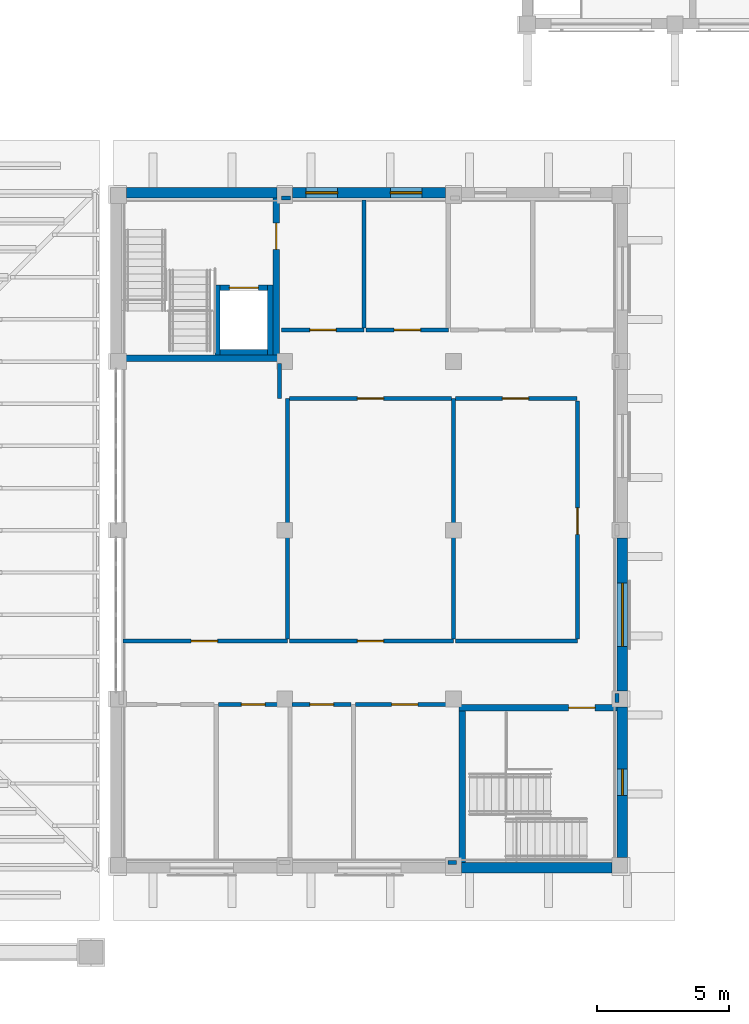
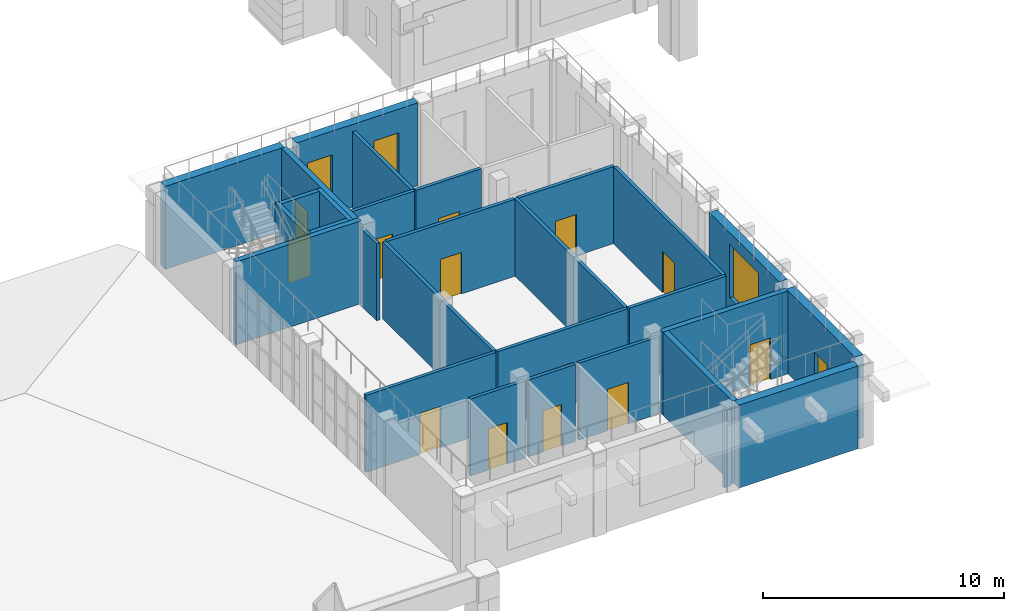
# One storey, part 24 of 68: 31 walls, 13 doors, 4 windows, 17 openings.
"""IFC4 building model written with IfcOpenShell, lengths in metres."""

import ifcopenshell
import ifcopenshell.guid

model = None  # the IFC model being written
_history = None  # IfcOwnerHistory: only IFC2X3 demands one
_inside = {}  # id of a spatial element -> (the spatial element, [elements in it])
_under = {}  # id of a project, library or spatial element -> (it, [spatial elements below it])
_declared = {}  # id of a project -> (the project, [libraries it declares])
_typed = {}  # id of a type object -> (the type object, [elements of that type])
_made_of = {}  # id of a material, layer set ... -> (it, [elements and type objects made of it])


def new_model(schema):
    """Start an empty IFC model of exactly this schema.

    Asked for "IFC4X3", IfcOpenShell would pick the latest addendum, in which some entities
    have other attributes; the version numbers below select the first issue.
    IFC2X3 requires an IfcOwnerHistory on every rooted entity: one is made here for all.
    """
    global model, _history
    if schema == "IFC4X3":
        model = ifcopenshell.file(schema_version=(4, 3, 0, 0))
    else:
        model = ifcopenshell.file(schema=schema)
    _inside.clear()
    _under.clear()
    _declared.clear()
    _typed.clear()
    _made_of.clear()
    _history = None
    if model.schema == "IFC2X3":
        org = make("IfcOrganization", Name="unknown")
        user = make(
            "IfcPersonAndOrganization",
            ThePerson=make("IfcPerson", FamilyName="unknown"),
            TheOrganization=org,
        )
        app = make(
            "IfcApplication",
            ApplicationDeveloper=org,
            Version="unknown",
            ApplicationFullName="unknown",
            ApplicationIdentifier="unknown",
        )
        _history = make(
            "IfcOwnerHistory",
            OwningUser=user,
            OwningApplication=app,
            ChangeAction="ADDED",
            CreationDate=0,
        )
    return model


def make(cls, **values):
    """One entity of the class cls with the attributes given. An attribute that is None is left unset."""
    return model.create_entity(
        cls, **{name: value for name, value in values.items() if value is not None}
    )


def rooted(cls, **values):
    """An entity with a GlobalId (a new one), such as an element, a storey or a relation."""
    return make(cls, GlobalId=ifcopenshell.guid.new(), OwnerHistory=_history, **values)


def si_unit(unit_type, name, prefix=None):
    """IfcSIUnit, for example si_unit("LENGTHUNIT", "METRE", prefix="MILLI")."""
    return make("IfcSIUnit", UnitType=unit_type, Prefix=prefix, Name=name)


def assignment(units):
    """IfcUnitAssignment: the units of a project."""
    return None if units is None else make("IfcUnitAssignment", Units=units)


def point(xyz):
    """IfcCartesianPoint."""
    return None if xyz is None else make("IfcCartesianPoint", Coordinates=xyz)


def direction(xyz):
    """IfcDirection."""
    return None if xyz is None else make("IfcDirection", DirectionRatios=xyz)


def frame(location, z_axis=None, x_axis=None):
    """IfcAxis2Placement3D, a coordinate frame: its origin and axes. An axis left out is left unset."""
    return make(
        "IfcAxis2Placement3D",
        Location=point(location),
        Axis=direction(z_axis),
        RefDirection=direction(x_axis),
    )


def frame_2d(location, x_axis=None):
    """IfcAxis2Placement2D, a coordinate frame in the plane: its origin and x axis."""
    return make(
        "IfcAxis2Placement2D", Location=point(location), RefDirection=direction(x_axis)
    )


def origin():
    """The frame at (0, 0, 0) with its axes left unset."""
    return frame((0.0, 0.0, 0.0))


def place(relative_to, where):
    """IfcLocalPlacement: puts the frame where relative to a parent placement (None: the world)."""
    return make(
        "IfcLocalPlacement", PlacementRelTo=relative_to, RelativePlacement=where
    )


def context(
    kind, dimensions, precision=None, world=None, true_north=None, identifier=None
):
    """IfcGeometricRepresentationContext, for example the 3D "Model" context."""
    return make(
        "IfcGeometricRepresentationContext",
        ContextIdentifier=identifier,
        ContextType=kind,
        CoordinateSpaceDimension=dimensions,
        Precision=precision,
        WorldCoordinateSystem=world,
        TrueNorth=true_north,
    )


def subcontext(parent, identifier, kind, view, scale=None):
    """IfcGeometricRepresentationSubContext, for example "Body" below "Model"."""
    return make(
        "IfcGeometricRepresentationSubContext",
        ContextIdentifier=identifier,
        ContextType=kind,
        ParentContext=parent,
        TargetScale=scale,
        TargetView=view,
    )


def project(units=None, contexts=None):
    """IfcProject with its units and contexts."""
    return rooted(
        "IfcProject",
        Name="project",
        RepresentationContexts=contexts,
        UnitsInContext=assignment(units),
    )


def spatial(cls, under=None, at=None, **own):
    """A site, building, storey or space (cls), placed at a placement, below another one or the project."""
    s = rooted(cls, ObjectPlacement=at, **own)
    if under is not None:
        _under.setdefault(under.id(), (under, []))[1].append(s)
    return s


def profile(cls, at=None, kind="AREA", **sizes):
    """A parametric profile (cls). Its sizes go by their IFC names, for example OverallWidth=200.0."""
    return make(cls, ProfileType=kind, Position=at, **sizes)


def rectangle(**sizes):
    """IfcRectangleProfileDef."""
    return profile("IfcRectangleProfileDef", **sizes)


def extrude(swept, where, along, depth):
    """IfcExtrudedAreaSolid: the profile swept, set in the frame where, extruded along a direction by depth."""
    return make(
        "IfcExtrudedAreaSolid",
        SweptArea=swept,
        Position=where,
        ExtrudedDirection=direction(along),
        Depth=depth,
    )


def shape(context_of_items, identifier, shape_type, items):
    """IfcShapeRepresentation: the items that make up one representation, for example the "Body"."""
    return make(
        "IfcShapeRepresentation",
        ContextOfItems=context_of_items,
        RepresentationIdentifier=identifier,
        RepresentationType=shape_type,
        Items=items,
    )


def material(Name=None, Category=None):
    """IfcMaterial."""
    return make("IfcMaterial", Name=Name, Category=Category)


def layer(
    of_material, thickness, ventilated=None, Name=None, Category=None, Priority=None
):
    """IfcMaterialLayer: one layer of a wall or slab, of a material (None: an air gap)."""
    return make(
        "IfcMaterialLayer",
        Material=of_material,
        LayerThickness=thickness,
        IsVentilated=ventilated,
        Name=Name,
        Category=Category,
        Priority=Priority,
    )


def layer_set(layers, Name=None):
    """IfcMaterialLayerSet."""
    return make("IfcMaterialLayerSet", MaterialLayers=layers, LayerSetName=Name)


def made_of(thing, what):
    """Note that an element or type object is made of a material, layer set ...; save() writes the relation."""
    if what is not None:
        _made_of.setdefault(what.id(), (what, []))[1].append(thing)
    return thing


def type_object(cls, material=None, **own):
    """A type object (cls), such as IfcWallType, which elements share."""
    return made_of(rooted(cls, **own), material)


def element(
    cls,
    number,
    at=None,
    inside=None,
    cuts=None,
    type_object=None,
    material=None,
    context=None,
    identifier="Body",
    shape_type=None,
    held_by="IfcProductDefinitionShape",
    body=None,
    shapes=None,
    **own,
):
    """One element of the class cls, such as IfcWall. Its Tag is "e" and its number.

    at: its placement. inside: the storey or other place that contains it. cuts: it is an
    opening in that element (IfcRelVoidsElement). A single representation is given by context,
    identifier, shape_type and body (its items); several are given by shapes. held_by: the class
    of the entity that holds the representations. save() writes the other relations.
    """
    e = rooted(cls, Tag="e%d" % number, ObjectPlacement=at, **own)
    if body is not None:
        shapes = [shape(context, identifier, shape_type, body)]
    if shapes is not None:
        e.Representation = make(held_by, Representations=shapes)
    if inside is not None:
        _inside.setdefault(inside.id(), (inside, []))[1].append(e)
    if cuts is not None:
        rooted(
            "IfcRelVoidsElement", RelatingBuildingElement=cuts, RelatedOpeningElement=e
        )
    if type_object is not None:
        _typed.setdefault(type_object.id(), (type_object, []))[1].append(e)
    return made_of(e, material)


def fill(opening, filler):
    """IfcRelFillsElement: the door or window that sits in an opening."""
    return rooted(
        "IfcRelFillsElement",
        RelatingOpeningElement=opening,
        RelatedBuildingElement=filler,
    )


def aggregate(whole, parts):
    """IfcRelAggregates: a whole, such as a stair, and the parts it consists of."""
    return rooted("IfcRelAggregates", RelatingObject=whole, RelatedObjects=parts)


def save(model, path):
    """Write the relations noted so far, then the file.

    IfcRelAggregates (storeys below a building ...), IfcRelContainedInSpatialStructure (elements
    in a storey), IfcRelDefinesByType, IfcRelAssociatesMaterial and IfcRelDeclares: one each for
    every whole, place, type object, material and project.
    """
    for whole, parts in _under.values():
        aggregate(whole, parts)
    for where, things in _inside.values():
        rooted(
            "IfcRelContainedInSpatialStructure",
            RelatedElements=things,
            RelatingStructure=where,
        )
    for kind, things in _typed.values():
        rooted("IfcRelDefinesByType", RelatedObjects=things, RelatingType=kind)
    for what, things in _made_of.values():
        rooted("IfcRelAssociatesMaterial", RelatedObjects=things, RelatingMaterial=what)
    for by, libraries in _declared.values():
        rooted("IfcRelDeclares", RelatingContext=by, RelatedDefinitions=libraries)
    model.write(path)


model = new_model("IFC4")

# Units and contexts
model_context = context("Model", 3, precision=1e-05, world=origin(), true_north=direction((0.0, 1.0)))
body_context = subcontext(model_context, "Body", "Model", "MODEL_VIEW")
ifc_project = project(units=[si_unit("LENGTHUNIT", "METRE"), si_unit("AREAUNIT", "SQUARE_METRE"), si_unit("VOLUMEUNIT", "CUBIC_METRE"), si_unit("PLANEANGLEUNIT", "RADIAN"), si_unit("MASSUNIT", "GRAM", prefix="KILO")], contexts=[model_context])

# Site, building, storey
site_placement = place(None, origin())
site = spatial("IfcSite", under=ifc_project, at=site_placement, CompositionType="ELEMENT")
building_placement = place(site_placement, origin())
building = spatial("IfcBuilding", under=site, at=building_placement, Name="Wasatch Bagh Community Centre", CompositionType="ELEMENT")
storey_placement = place(building_placement, frame((0.0, 0.0, 8.39990234375)))
storey = spatial("IfcBuildingStorey", under=building, at=storey_placement, Name="L02", CompositionType="ELEMENT", Elevation=8.39990234375)

# Walls
ifc_material_1 = material(Name="Concrete C40", Category="concrete")
ifc_layer_1 = layer(ifc_material_1, 0.199951171875)
ifc_layer_set_1 = layer_set([ifc_layer_1], Name="Concrete C40")
wall_type_1 = type_object("IfcWallType", Name="KW RC WALL 200 shear", PredefinedType="SHEAR", material=ifc_layer_set_1)
for number, where, z_axis, x_axis, name in (
    (1, (100.449951171875, 25.64990234375, 0.0), (0.0, 0.0, 1.0), (0.0, 1.0, 0.0), "KW.core.LF2.L02.W"),
    (2, (102.449951171875, 25.64990234375, 0.0), (0.0, 0.0, 1.0), (0.0, 1.0, 0.0), "KW.core.LF2.L02.E"),
):
    element("IfcWall", number, at=place(storey_placement, frame(where, z_axis=z_axis, x_axis=x_axis)), inside=storey, type_object=wall_type_1, Name=name, PredefinedType="SHEAR", context=body_context, shape_type="SweptSolid", body=[
        extrude(rectangle(XDim=2.650146484375, YDim=0.199951171875, at=frame_2d((1.3251953125, 0.0))), origin(), (0.0, 0.0, 1.0), 4.2001953125),
    ])
wall_1_placement = place(storey_placement, frame((100.550048828125, 25.75, 0.0), z_axis=(0.0, 0.0, 1.0), x_axis=(1.0, 0.0, 0.0)))
element("IfcWall", 3, at=wall_1_placement, inside=storey, type_object=wall_type_1, Name="KW.core.LF2.L02.S", PredefinedType="SHEAR", context=body_context, shape_type="SweptSolid", body=[
    extrude(rectangle(XDim=1.800048828125, YDim=0.199951171875, at=frame_2d((0.89990234375, 0.0))), origin(), (0.0, 0.0, 1.0), 4.2001953125),
])

# Wall, opening, door
wall_2_placement = place(storey_placement, frame((100.550048828125, 28.199951171875, 0.0), z_axis=(0.0, 0.0, 1.0), x_axis=(1.0, 0.0, 0.0)))
wall_2 = element("IfcWall", 4, at=wall_2_placement, inside=storey, type_object=wall_type_1, Name="KW.core.LF2.L02.N", PredefinedType="SHEAR", context=body_context, shape_type="SweptSolid", body=[
    extrude(rectangle(XDim=1.800048828125, YDim=0.199951171875, at=frame_2d((0.89990234375, 0.0))), origin(), (0.0, 0.0, 1.0), 4.2001953125),
])
opening_1_placement = place(wall_2_placement, frame((0.35009765625, 0.0, 0.0)))
opening_1 = element("IfcOpeningElement", 5, at=opening_1_placement, cuts=wall_2, Name="Opening 2K-01", PredefinedType="OPENING", context=body_context, shape_type="SweptSolid", body=[
    extrude(rectangle(XDim=1.10009765625, YDim=2.10009765625, at=frame_2d((0.550048828125, 1.050048828125))), frame((0.0, 0.10986328125, 0.0), z_axis=(0.0, -1.0, 0.0), x_axis=(1.0, 0.0, 0.0)), (0.0, 0.0, 1.0), 0.219970703125),
])
ifc_material_2 = material(Name="Stainless steel", Category="steel")
door_type_1 = type_object("IfcDoorType", Name="KW door 1100x2100 landing", OperationType="SLIDING_TO_LEFT", PredefinedType="DOOR", material=ifc_material_2)
door_1_placement = place(opening_1_placement, origin())
door_1 = element("IfcDoor", 6, at=door_1_placement, inside=storey, type_object=door_type_1, Name="KW.door.L02.2K-01", OperationType="SLIDING_TO_LEFT", OverallHeight=2.10009765625, OverallWidth=1.10009765625, PredefinedType="DOOR", context=body_context, shape_type="SweptSolid", body=[
    extrude(rectangle(XDim=1.10009765625, YDim=2.10009765625, at=frame_2d((0.550048828125, 1.050048828125))), frame((0.0, 0.02490234375, 0.0), z_axis=(0.0, -1.0, 0.0), x_axis=(1.0, 0.0, 0.0)), (0.0, 0.0, 1.0), 0.050048828125),
])
fill(opening_1, door_1)

ifc_layer_2 = layer(ifc_material_1, 0.25)
ifc_layer_set_2 = layer_set([ifc_layer_2], Name="Concrete C40")
wall_type_2 = type_object("IfcWallType", Name="KW RC WALL 250 shear", PredefinedType="SHEAR", material=ifc_layer_set_2)
wall_3_placement = place(storey_placement, frame((102.675048828125, 25.64990234375, 0.0), z_axis=(0.0, 0.0, 1.0), x_axis=(0.0, 1.0, 0.0)))
wall_3 = element("IfcWall", 7, at=wall_3_placement, inside=storey, type_object=wall_type_2, Name="KW.core.ST4.L02.E", PredefinedType="SHEAR", context=body_context, shape_type="SweptSolid", body=[
    extrude(rectangle(XDim=5.9501953125, YDim=0.25, at=frame_2d((2.97509765625, 0.0))), origin(), (0.0, 0.0, 1.0), 4.2001953125),
])
opening_2_placement = place(wall_3_placement, frame((4.0, 0.0, 0.0)))
opening_2 = element("IfcOpeningElement", 8, at=opening_2_placement, cuts=wall_3, Name="Opening 2K-13", PredefinedType="OPENING", context=body_context, shape_type="SweptSolid", body=[
    extrude(rectangle(XDim=1.0, YDim=2.10009765625, at=frame_2d((0.5, 1.050048828125))), frame((0.0, 0.135009765625, 0.0), z_axis=(0.0, -1.0, 0.0), x_axis=(1.0, 0.0, 0.0)), (0.0, 0.0, 1.0), 0.27001953125),
])
ifc_material_3 = material(Name="Painted hardwood timber", Category="wood")
door_type_2 = type_object("IfcDoorType", Name="KW door 1000x2100 single", OperationType="SINGLE_SWING_LEFT", PredefinedType="DOOR", material=ifc_material_3)
door_2_placement = place(opening_2_placement, origin())
door_2 = element("IfcDoor", 9, at=door_2_placement, inside=storey, type_object=door_type_2, Name="KW.door.L02.2K-13", OperationType="SINGLE_SWING_LEFT", OverallHeight=2.10009765625, OverallWidth=1.0, PredefinedType="DOOR", context=body_context, shape_type="SweptSolid", body=[
    extrude(rectangle(XDim=1.0, YDim=2.10009765625, at=frame_2d((0.5, 1.050048828125))), frame((0.0, 0.02490234375, 0.0), z_axis=(0.0, -1.0, 0.0), x_axis=(1.0, 0.0, 0.0)), (0.0, 0.0, 1.0), 0.050048828125),
])
fill(opening_2, door_2)

# Walls
wall_4_placement = place(storey_placement, frame((96.800048828125, 25.52490234375, 0.0), z_axis=(0.0, 0.0, 1.0), x_axis=(1.0, 0.0, 0.0)))
element("IfcWall", 10, at=wall_4_placement, inside=storey, type_object=wall_type_2, Name="KW.core.ST4.L02.S", PredefinedType="SHEAR", context=body_context, shape_type="SweptSolid", body=[
    extrude(rectangle(XDim=6.0, YDim=0.25, at=frame_2d((3.0, 0.0))), origin(), (0.0, 0.0, 1.0), 4.2001953125),
])
wall_5_placement = place(storey_placement, frame((109.72509765625, 6.39990234375, 0.0), z_axis=(0.0, 0.0, 1.0), x_axis=(0.0, 1.0, 0.0)))
element("IfcWall", 11, at=wall_5_placement, inside=storey, type_object=wall_type_2, Name="KW.core.ST5.L02.W", PredefinedType="SHEAR", context=body_context, shape_type="SweptSolid", body=[
    extrude(rectangle(XDim=5.75, YDim=0.25, at=frame_2d((2.875, 0.0))), origin(), (0.0, 0.0, 1.0), 4.2001953125),
])

# Wall, opening, door
wall_6_placement = place(storey_placement, frame((109.60009765625, 12.27490234375, 0.0), z_axis=(0.0, 0.0, 1.0), x_axis=(1.0, 0.0, 0.0)))
wall_6 = element("IfcWall", 12, at=wall_6_placement, inside=storey, type_object=wall_type_2, Name="KW.core.ST5.L02.N", PredefinedType="SHEAR", context=body_context, shape_type="SweptSolid", body=[
    extrude(rectangle(XDim=6.0, YDim=0.25, at=frame_2d((3.0, 0.0))), origin(), (0.0, 0.0, 1.0), 4.2001953125),
])
opening_3_placement = place(wall_6_placement, frame((4.164306640625, 0.0, 0.0)))
opening_3 = element("IfcOpeningElement", 13, at=opening_3_placement, cuts=wall_6, Name="Opening 2K-06", PredefinedType="OPENING", context=body_context, shape_type="SweptSolid", body=[
    extrude(rectangle(XDim=1.0, YDim=2.10009765625, at=frame_2d((0.5, 1.050048828125))), frame((0.0, 0.135009765625, 0.0), z_axis=(0.0, -1.0, 0.0), x_axis=(1.0, 0.0, 0.0)), (0.0, 0.0, 1.0), 0.27001953125),
])
door_3_placement = place(opening_3_placement, origin())
door_3 = element("IfcDoor", 14, at=door_3_placement, inside=storey, type_object=door_type_2, Name="KW.door.L02.2K-06", OperationType="SINGLE_SWING_LEFT", OverallHeight=2.10009765625, OverallWidth=1.0, PredefinedType="DOOR", context=body_context, shape_type="SweptSolid", body=[
    extrude(rectangle(XDim=1.0, YDim=2.10009765625, at=frame_2d((0.5, 1.050048828125))), frame((0.0, 0.02490234375, 0.0), z_axis=(0.0, -1.0, 0.0), x_axis=(1.0, 0.0, 0.0)), (0.0, 0.0, 1.0), 0.050048828125),
])
fill(opening_3, door_3)

# Walls
ifc_layer_3 = layer(ifc_material_1, 0.39990234375)
ifc_layer_set_3 = layer_set([ifc_layer_3], Name="Concrete C40")
wall_type_3 = type_object("IfcWallType", Name="KW RC WALL 400 solidwall", PredefinedType="SOLIDWALL", material=ifc_layer_set_3)
for number, where, z_axis, x_axis, name in (
    (15, (109.699951171875, 6.199951171875, 0.0), (0.0, 0.0, 1.0), (1.0, 0.0, 0.0), "KW.wall.L02.03"),
    (16, (97.0, 31.800048828125, 0.0), (0.0, 0.0, 1.0), (1.0, 0.0, 0.0), "KW.wall.L02.04"),
):
    element("IfcWall", number, at=place(storey_placement, frame(where, z_axis=z_axis, x_axis=x_axis)), inside=storey, type_object=wall_type_3, Name=name, PredefinedType="SOLIDWALL", context=body_context, shape_type="SweptSolid", body=[
        extrude(rectangle(XDim=5.699951171875, YDim=0.39990234375, at=frame_2d((2.85009765625, 0.0))), origin(), (0.0, 0.0, 1.0), 4.2001953125),
    ])

# Wall, openings, windows
wall_7_placement = place(storey_placement, frame((103.300048828125, 31.800048828125, 0.0), z_axis=(0.0, 0.0, 1.0), x_axis=(1.0, 0.0, 0.0)))
wall_7 = element("IfcWall", 17, at=wall_7_placement, inside=storey, type_object=wall_type_3, Name="KW.wall.L02.05", PredefinedType="SOLIDWALL", context=body_context, shape_type="SweptSolid", body=[
    extrude(rectangle(XDim=5.800048828125, YDim=0.39990234375, at=frame_2d((2.89990234375, 0.0))), origin(), (0.0, 0.0, 1.0), 4.2001953125),
])
opening_4_placement = place(wall_7_placement, frame((0.5, 0.0, 0.89990234375)))
opening_4 = element("IfcOpeningElement", 18, at=opening_4_placement, cuts=wall_7, Name="Opening 2K-W04", PredefinedType="OPENING", context=body_context, shape_type="SweptSolid", body=[
    extrude(rectangle(XDim=1.199951171875, YDim=2.10009765625, at=frame_2d((0.60009765625, 1.050048828125))), frame((0.0, 0.2099609375, 0.0), z_axis=(0.0, -1.0, 0.0), x_axis=(1.0, 0.0, 0.0)), (0.0, 0.0, 1.0), 0.419921875),
])
opening_5_placement = place(wall_7_placement, frame((3.699951171875, 0.0, 0.89990234375)))
opening_5 = element("IfcOpeningElement", 19, at=opening_5_placement, cuts=wall_7, Name="Opening 2K-W05", PredefinedType="OPENING", context=body_context, shape_type="SweptSolid", body=[
    extrude(rectangle(XDim=1.199951171875, YDim=2.10009765625, at=frame_2d((0.60009765625, 1.050048828125))), frame((0.0, 0.2099609375, 0.0), z_axis=(0.0, -1.0, 0.0), x_axis=(1.0, 0.0, 0.0)), (0.0, 0.0, 1.0), 0.419921875),
])
ifc_material_4 = material(Name="Aluminium frame with double glazing", Category="aluminium")
window_type_1 = type_object("IfcWindowType", Name="KW window 1200x2100", PartitioningType="SINGLE_PANEL", PredefinedType="WINDOW", material=ifc_material_4)
window_1_placement = place(opening_4_placement, origin())
window_1 = element("IfcWindow", 20, at=window_1_placement, inside=storey, type_object=window_type_1, Name="KW.window.L02.2K-W04", OverallHeight=2.10009765625, OverallWidth=1.199951171875, PartitioningType="SINGLE_PANEL", PredefinedType="WINDOW", context=body_context, shape_type="SweptSolid", body=[
    extrude(rectangle(XDim=1.199951171875, YDim=2.10009765625, at=frame_2d((0.60009765625, 1.050048828125))), frame((0.0, 0.030029296875, 0.0), z_axis=(0.0, -1.0, 0.0), x_axis=(1.0, 0.0, 0.0)), (0.0, 0.0, 1.0), 0.06005859375),
])
fill(opening_4, window_1)
window_2_placement = place(opening_5_placement, origin())
window_2 = element("IfcWindow", 21, at=window_2_placement, inside=storey, type_object=window_type_1, Name="KW.window.L02.2K-W05", OverallHeight=2.10009765625, OverallWidth=1.199951171875, PartitioningType="SINGLE_PANEL", PredefinedType="WINDOW", context=body_context, shape_type="SweptSolid", body=[
    extrude(rectangle(XDim=1.199951171875, YDim=2.10009765625, at=frame_2d((0.60009765625, 1.050048828125))), frame((0.0, 0.030029296875, 0.0), z_axis=(0.0, -1.0, 0.0), x_axis=(1.0, 0.0, 0.0)), (0.0, 0.0, 1.0), 0.06005859375),
])
fill(opening_5, window_2)

# Wall, opening, window
wall_8_placement = place(storey_placement, frame((115.800048828125, 12.300048828125, 0.0), z_axis=(0.0, 0.0, 1.0), x_axis=(0.0, -1.0, 0.0)))
wall_8 = element("IfcWall", 22, at=wall_8_placement, inside=storey, type_object=wall_type_3, Name="KW.wall.L02.11", PredefinedType="SOLIDWALL", context=body_context, shape_type="SweptSolid", body=[
    extrude(rectangle(XDim=5.699951171875, YDim=0.39990234375, at=frame_2d((2.85009765625, 0.0))), origin(), (0.0, 0.0, 1.0), 4.2001953125),
])
opening_6_placement = place(wall_8_placement, frame((2.35009765625, 0.0, 0.89990234375)))
opening_6 = element("IfcOpeningElement", 23, at=opening_6_placement, cuts=wall_8, Name="Opening 2K-W01", PredefinedType="OPENING", context=body_context, shape_type="SweptSolid", body=[
    extrude(rectangle(XDim=1.0, YDim=1.5, at=frame_2d((0.5, 0.75))), frame((0.0, 0.2099609375, 0.0), z_axis=(0.0, -1.0, 0.0), x_axis=(1.0, 0.0, 0.0)), (0.0, 0.0, 1.0), 0.419921875),
])
window_type_2 = type_object("IfcWindowType", Name="KW window 1000x1500", PartitioningType="SINGLE_PANEL", PredefinedType="WINDOW", material=ifc_material_4)
window_3_placement = place(opening_6_placement, origin())
window_3 = element("IfcWindow", 24, at=window_3_placement, inside=storey, type_object=window_type_2, Name="KW.window.L02.2K-W01", OverallHeight=1.5, OverallWidth=1.0, PartitioningType="SINGLE_PANEL", PredefinedType="WINDOW", context=body_context, shape_type="SweptSolid", body=[
    extrude(rectangle(XDim=1.0, YDim=1.5, at=frame_2d((0.5, 0.75))), frame((0.0, 0.030029296875, 0.0), z_axis=(0.0, -1.0, 0.0), x_axis=(1.0, 0.0, 0.0)), (0.0, 0.0, 1.0), 0.06005859375),
])
fill(opening_6, window_3)

wall_9_placement = place(storey_placement, frame((115.800048828125, 18.699951171875, 0.0), z_axis=(0.0, 0.0, 1.0), x_axis=(0.0, -1.0, 0.0)))
wall_9 = element("IfcWall", 25, at=wall_9_placement, inside=storey, type_object=wall_type_3, Name="KW.wall.L02.12", PredefinedType="SOLIDWALL", context=body_context, shape_type="SweptSolid", body=[
    extrude(rectangle(XDim=5.800048828125, YDim=0.39990234375, at=frame_2d((2.89990234375, 0.0))), origin(), (0.0, 0.0, 1.0), 4.2001953125),
])
opening_7_placement = place(wall_9_placement, frame((1.699951171875, 0.0, 0.89990234375)))
opening_7 = element("IfcOpeningElement", 26, at=opening_7_placement, cuts=wall_9, Name="Opening 2K-W08", PredefinedType="OPENING", context=body_context, shape_type="SweptSolid", body=[
    extrude(rectangle(XDim=2.39990234375, YDim=2.699951171875, at=frame_2d((1.199951171875, 1.35009765625))), frame((0.0, 0.2099609375, 0.0), z_axis=(0.0, -1.0, 0.0), x_axis=(1.0, 0.0, 0.0)), (0.0, 0.0, 1.0), 0.419921875),
])
window_type_3 = type_object("IfcWindowType", Name="KW window 2400x2700", PartitioningType="SINGLE_PANEL", PredefinedType="WINDOW", material=ifc_material_4)
window_4_placement = place(opening_7_placement, origin())
window_4 = element("IfcWindow", 27, at=window_4_placement, inside=storey, type_object=window_type_3, Name="KW.window.L02.2K-W08", OverallHeight=2.699951171875, OverallWidth=2.39990234375, PartitioningType="SINGLE_PANEL", PredefinedType="WINDOW", context=body_context, shape_type="SweptSolid", body=[
    extrude(rectangle(XDim=2.39990234375, YDim=2.699951171875, at=frame_2d((1.199951171875, 1.35009765625))), frame((0.0, 0.030029296875, 0.0), z_axis=(0.0, -1.0, 0.0), x_axis=(1.0, 0.0, 0.0)), (0.0, 0.0, 1.0), 0.06005859375),
])
fill(opening_7, window_4)

# Wall
ifc_material_5 = material(Name="Hollow block masonry, medium weight (ASTM Grade N)", Category="masonry")
ifc_layer_4 = layer(ifc_material_5, 0.159912109375)
ifc_layer_set_4 = layer_set([ifc_layer_4], Name="Hollow block masonry, medium weight (ASTM Grade N)")
wall_type_4 = type_object("IfcWallType", Name="KW partition 160", PredefinedType="PARTITIONING", material=ifc_layer_set_4)
wall_10_placement = place(storey_placement, frame((102.800048828125, 24.0, 0.0), z_axis=(0.0, 0.0, 1.0), x_axis=(0.0, 1.0, 0.0)))
element("IfcWall", 28, at=wall_10_placement, inside=storey, type_object=wall_type_4, Name="KW.part.L02.005", PredefinedType="PARTITIONING", context=body_context, shape_type="SweptSolid", body=[
    extrude(rectangle(XDim=1.320068359375, YDim=0.159912109375, at=frame_2d((0.66015625, 0.0))), origin(), (0.0, 0.0, 1.0), 3.900146484375),
])

# Wall, opening, door
wall_11_placement = place(storey_placement, frame((103.10009765625, 14.800048828125, 0.0), z_axis=(0.0, 0.0, 1.0), x_axis=(-1.0, 0.0, 0.0)))
wall_11 = element("IfcWall", 29, at=wall_11_placement, inside=storey, type_object=wall_type_4, Name="KW.part.L02.006", PredefinedType="PARTITIONING", context=body_context, shape_type="SweptSolid", body=[
    extrude(rectangle(XDim=6.239990234375, YDim=0.159912109375, at=frame_2d((3.1201171875, 0.0))), origin(), (0.0, 0.0, 1.0), 3.900146484375),
])
opening_8_placement = place(wall_11_placement, frame((2.64990234375, 0.0, 0.0)))
opening_8 = element("IfcOpeningElement", 30, at=opening_8_placement, cuts=wall_11, Name="Opening 2K-07", PredefinedType="OPENING", context=body_context, shape_type="SweptSolid", body=[
    extrude(rectangle(XDim=1.0, YDim=2.10009765625, at=frame_2d((0.5, 1.050048828125))), frame((0.0, 0.08984375, 0.0), z_axis=(0.0, -1.0, 0.0), x_axis=(1.0, 0.0, 0.0)), (0.0, 0.0, 1.0), 0.179931640625),
])
door_4_placement = place(opening_8_placement, origin())
door_4 = element("IfcDoor", 31, at=door_4_placement, inside=storey, type_object=door_type_2, Name="KW.door.L02.2K-07", OperationType="SINGLE_SWING_LEFT", OverallHeight=2.10009765625, OverallWidth=1.0, PredefinedType="DOOR", context=body_context, shape_type="SweptSolid", body=[
    extrude(rectangle(XDim=1.0, YDim=2.10009765625, at=frame_2d((0.5, 1.050048828125))), frame((0.0, 0.02490234375, 0.0), z_axis=(0.0, -1.0, 0.0), x_axis=(1.0, 0.0, 0.0)), (0.0, 0.0, 1.0), 0.050048828125),
])
fill(opening_8, door_4)

# Wall
wall_12_placement = place(storey_placement, frame((103.10009765625, 14.8798828125, 0.0), z_axis=(0.0, 0.0, 1.0), x_axis=(0.0, 1.0, 0.0)))
element("IfcWall", 32, at=wall_12_placement, inside=storey, type_object=wall_type_4, Name="KW.part.L02.007", PredefinedType="PARTITIONING", context=body_context, shape_type="SweptSolid", body=[
    extrude(rectangle(XDim=9.1201171875, YDim=0.159912109375, at=frame_2d((4.56005859375, 0.0))), origin(), (0.0, 0.0, 1.0), 3.900146484375),
])

# Wall, opening, door
wall_13_placement = place(storey_placement, frame((103.1201171875, 12.39990234375, 0.0), z_axis=(0.0, 0.0, 1.0), x_axis=(-1.0, 0.0, 0.0)))
wall_13 = element("IfcWall", 33, at=wall_13_placement, inside=storey, type_object=wall_type_4, Name="KW.part.L02.008", PredefinedType="PARTITIONING", context=body_context, shape_type="SweptSolid", body=[
    extrude(rectangle(XDim=2.64013671875, YDim=0.159912109375, at=frame_2d((1.320068359375, 0.0))), origin(), (0.0, 0.0, 1.0), 3.900146484375),
])
opening_9_placement = place(wall_13_placement, frame((0.8701171875, 0.0, 0.0)))
opening_9 = element("IfcOpeningElement", 34, at=opening_9_placement, cuts=wall_13, Name="Opening 2K-03", PredefinedType="OPENING", context=body_context, shape_type="SweptSolid", body=[
    extrude(rectangle(XDim=0.89990234375, YDim=2.10009765625, at=frame_2d((0.449951171875, 1.050048828125))), frame((0.0, 0.08984375, 0.0), z_axis=(0.0, -1.0, 0.0), x_axis=(1.0, 0.0, 0.0)), (0.0, 0.0, 1.0), 0.179931640625),
])
door_type_3 = type_object("IfcDoorType", Name="KW door 900x2100 single", OperationType="SINGLE_SWING_LEFT", PredefinedType="DOOR", material=ifc_material_3)
door_5_placement = place(opening_9_placement, origin())
door_5 = element("IfcDoor", 35, at=door_5_placement, inside=storey, type_object=door_type_3, Name="KW.door.L02.2K-03", OperationType="SINGLE_SWING_LEFT", OverallHeight=2.10009765625, OverallWidth=0.89990234375, PredefinedType="DOOR", context=body_context, shape_type="SweptSolid", body=[
    extrude(rectangle(XDim=0.89990234375, YDim=2.10009765625, at=frame_2d((0.449951171875, 1.050048828125))), frame((0.0, 0.02490234375, 0.0), z_axis=(0.0, -1.0, 0.0), x_axis=(1.0, 0.0, 0.0)), (0.0, 0.0, 1.0), 0.050048828125),
])
fill(opening_9, door_5)

# Wall
wall_14_placement = place(storey_placement, frame((103.219970703125, 31.60009765625, 0.0), z_axis=(0.0, 0.0, 1.0), x_axis=(-1.0, 0.0, 0.0)))
element("IfcWall", 36, at=wall_14_placement, inside=storey, type_object=wall_type_4, Name="KW.part.L02.010", PredefinedType="PARTITIONING", context=body_context, shape_type="SweptSolid", body=[
    extrude(rectangle(XDim=0.340087890625, YDim=0.159912109375, at=frame_2d((0.169921875, 0.0))), origin(), (0.0, 0.0, 1.0), 3.900146484375),
])

# Wall, opening, door
wall_15_placement = place(storey_placement, frame((105.52001953125, 12.39990234375, 0.0), z_axis=(0.0, 0.0, 1.0), x_axis=(-1.0, 0.0, 0.0)))
wall_15 = element("IfcWall", 37, at=wall_15_placement, inside=storey, type_object=wall_type_4, Name="KW.part.L02.011", PredefinedType="PARTITIONING", context=body_context, shape_type="SweptSolid", body=[
    extrude(rectangle(XDim=2.239990234375, YDim=0.159912109375, at=frame_2d((1.1201171875, 0.0))), origin(), (0.0, 0.0, 1.0), 3.900146484375),
])
opening_10_placement = place(wall_15_placement, frame((0.669921875, 0.0, 0.0)))
opening_10 = element("IfcOpeningElement", 38, at=opening_10_placement, cuts=wall_15, Name="Opening 2K-04", PredefinedType="OPENING", context=body_context, shape_type="SweptSolid", body=[
    extrude(rectangle(XDim=0.89990234375, YDim=2.10009765625, at=frame_2d((0.449951171875, 1.050048828125))), frame((0.0, 0.08984375, 0.0), z_axis=(0.0, -1.0, 0.0), x_axis=(1.0, 0.0, 0.0)), (0.0, 0.0, 1.0), 0.179931640625),
])
door_6_placement = place(opening_10_placement, origin())
door_6 = element("IfcDoor", 39, at=door_6_placement, inside=storey, type_object=door_type_3, Name="KW.door.L02.2K-04", OperationType="SINGLE_SWING_LEFT", OverallHeight=2.10009765625, OverallWidth=0.89990234375, PredefinedType="DOOR", context=body_context, shape_type="SweptSolid", body=[
    extrude(rectangle(XDim=0.89990234375, YDim=2.10009765625, at=frame_2d((0.449951171875, 1.050048828125))), frame((0.0, 0.02490234375, 0.0), z_axis=(0.0, -1.0, 0.0), x_axis=(1.0, 0.0, 0.0)), (0.0, 0.0, 1.0), 0.050048828125),
])
fill(opening_10, door_6)

wall_16_placement = place(storey_placement, frame((106.0, 26.60009765625, 0.0), z_axis=(0.0, 0.0, 1.0), x_axis=(-1.0, 0.0, 0.0)))
wall_16 = element("IfcWall", 40, at=wall_16_placement, inside=storey, type_object=wall_type_4, Name="KW.part.L02.013", PredefinedType="PARTITIONING", context=body_context, shape_type="SweptSolid", body=[
    extrude(rectangle(XDim=3.1201171875, YDim=0.159912109375, at=frame_2d((1.56005859375, 0.0))), origin(), (0.0, 0.0, 1.0), 3.900146484375),
])
opening_11_placement = place(wall_16_placement, frame((1.050048828125, 0.0, 0.0)))
opening_11 = element("IfcOpeningElement", 41, at=opening_11_placement, cuts=wall_16, Name="Opening 2K-12", PredefinedType="OPENING", context=body_context, shape_type="SweptSolid", body=[
    extrude(rectangle(XDim=1.0, YDim=2.10009765625, at=frame_2d((0.5, 1.050048828125))), frame((0.0, 0.08984375, 0.0), z_axis=(0.0, -1.0, 0.0), x_axis=(1.0, 0.0, 0.0)), (0.0, 0.0, 1.0), 0.179931640625),
])
door_7_placement = place(opening_11_placement, origin())
door_7 = element("IfcDoor", 42, at=door_7_placement, inside=storey, type_object=door_type_2, Name="KW.door.L02.2K-12", OperationType="SINGLE_SWING_LEFT", OverallHeight=2.10009765625, OverallWidth=1.0, PredefinedType="DOOR", context=body_context, shape_type="SweptSolid", body=[
    extrude(rectangle(XDim=1.0, YDim=2.10009765625, at=frame_2d((0.5, 1.050048828125))), frame((0.0, 0.02490234375, 0.0), z_axis=(0.0, -1.0, 0.0), x_axis=(1.0, 0.0, 0.0)), (0.0, 0.0, 1.0), 0.050048828125),
])
fill(opening_11, door_7)

# Walls
wall_17_placement = place(storey_placement, frame((106.0, 26.679931640625, 0.0), z_axis=(0.0, 0.0, 1.0), x_axis=(0.0, 1.0, 0.0)))
element("IfcWall", 43, at=wall_17_placement, inside=storey, type_object=wall_type_4, Name="KW.part.L02.014", PredefinedType="PARTITIONING", context=body_context, shape_type="SweptSolid", body=[
    extrude(rectangle(XDim=4.840087890625, YDim=0.159912109375, at=frame_2d((2.419921875, 0.0))), origin(), (0.0, 0.0, 1.0), 3.900146484375),
])
wall_18_placement = place(storey_placement, frame((109.179931640625, 6.39990234375, 0.0), z_axis=(0.0, 0.0, 1.0), x_axis=(1.0, 0.0, 0.0)))
element("IfcWall", 44, at=wall_18_placement, inside=storey, type_object=wall_type_4, Name="KW.part.L02.015", PredefinedType="PARTITIONING", context=body_context, shape_type="SweptSolid", body=[
    extrude(rectangle(XDim=0.340087890625, YDim=0.159912109375, at=frame_2d((0.169921875, 0.0))), origin(), (0.0, 0.0, 1.0), 3.900146484375),
])

# Wall, opening, door
wall_19_placement = place(storey_placement, frame((109.199951171875, 26.60009765625, 0.0), z_axis=(0.0, 0.0, 1.0), x_axis=(-1.0, 0.0, 0.0)))
wall_19 = element("IfcWall", 45, at=wall_19_placement, inside=storey, type_object=wall_type_4, Name="KW.part.L02.016", PredefinedType="PARTITIONING", context=body_context, shape_type="SweptSolid", body=[
    extrude(rectangle(XDim=3.119873046875, YDim=0.159912109375, at=frame_2d((1.56005859375, 0.0))), origin(), (0.0, 0.0, 1.0), 3.900146484375),
])
opening_12_placement = place(wall_19_placement, frame((1.050048828125, 0.0, 0.0)))
opening_12 = element("IfcOpeningElement", 46, at=opening_12_placement, cuts=wall_19, Name="Opening 2K-14", PredefinedType="OPENING", context=body_context, shape_type="SweptSolid", body=[
    extrude(rectangle(XDim=1.0, YDim=2.10009765625, at=frame_2d((0.5, 1.050048828125))), frame((0.0, 0.08984375, 0.0), z_axis=(0.0, -1.0, 0.0), x_axis=(1.0, 0.0, 0.0)), (0.0, 0.0, 1.0), 0.179931640625),
])
door_8_placement = place(opening_12_placement, origin())
door_8 = element("IfcDoor", 47, at=door_8_placement, inside=storey, type_object=door_type_2, Name="KW.door.L02.2K-14", OperationType="SINGLE_SWING_LEFT", OverallHeight=2.10009765625, OverallWidth=1.0, PredefinedType="DOOR", context=body_context, shape_type="SweptSolid", body=[
    extrude(rectangle(XDim=1.0, YDim=2.10009765625, at=frame_2d((0.5, 1.050048828125))), frame((0.0, 0.02490234375, 0.0), z_axis=(0.0, -1.0, 0.0), x_axis=(1.0, 0.0, 0.0)), (0.0, 0.0, 1.0), 0.050048828125),
])
fill(opening_12, door_8)

wall_20_placement = place(storey_placement, frame((109.320068359375, 24.0, 0.0), z_axis=(0.0, 0.0, 1.0), x_axis=(-1.0, 0.0, 0.0)))
wall_20 = element("IfcWall", 48, at=wall_20_placement, inside=storey, type_object=wall_type_4, Name="KW.part.L02.018", PredefinedType="PARTITIONING", context=body_context, shape_type="SweptSolid", body=[
    extrude(rectangle(XDim=6.14013671875, YDim=0.159912109375, at=frame_2d((3.070068359375, 0.0))), origin(), (0.0, 0.0, 1.0), 3.900146484375),
])
opening_13_placement = place(wall_20_placement, frame((2.570068359375, 0.0, 0.0)))
opening_13 = element("IfcOpeningElement", 49, at=opening_13_placement, cuts=wall_20, Name="Opening 2K-09", PredefinedType="OPENING", context=body_context, shape_type="SweptSolid", body=[
    extrude(rectangle(XDim=1.0, YDim=2.10009765625, at=frame_2d((0.5, 1.050048828125))), frame((0.0, 0.08984375, 0.0), z_axis=(0.0, -1.0, 0.0), x_axis=(1.0, 0.0, 0.0)), (0.0, 0.0, 1.0), 0.179931640625),
])
door_9_placement = place(opening_13_placement, origin())
door_9 = element("IfcDoor", 50, at=door_9_placement, inside=storey, type_object=door_type_2, Name="KW.door.L02.2K-09", OperationType="SINGLE_SWING_LEFT", OverallHeight=2.10009765625, OverallWidth=1.0, PredefinedType="DOOR", context=body_context, shape_type="SweptSolid", body=[
    extrude(rectangle(XDim=1.0, YDim=2.10009765625, at=frame_2d((0.5, 1.050048828125))), frame((0.0, 0.02490234375, 0.0), z_axis=(0.0, -1.0, 0.0), x_axis=(1.0, 0.0, 0.0)), (0.0, 0.0, 1.0), 0.050048828125),
])
fill(opening_13, door_9)

wall_21_placement = place(storey_placement, frame((109.39990234375, 14.800048828125, 0.0), z_axis=(0.0, 0.0, 1.0), x_axis=(-1.0, 0.0, 0.0)))
wall_21 = element("IfcWall", 51, at=wall_21_placement, inside=storey, type_object=wall_type_4, Name="KW.part.L02.019", PredefinedType="PARTITIONING", context=body_context, shape_type="SweptSolid", body=[
    extrude(rectangle(XDim=6.219970703125, YDim=0.159912109375, at=frame_2d((3.10986328125, 0.0))), origin(), (0.0, 0.0, 1.0), 3.900146484375),
])
opening_14_placement = place(wall_21_placement, frame((2.64990234375, 0.0, 0.0)))
opening_14 = element("IfcOpeningElement", 52, at=opening_14_placement, cuts=wall_21, Name="Opening 2K-08", PredefinedType="OPENING", context=body_context, shape_type="SweptSolid", body=[
    extrude(rectangle(XDim=1.0, YDim=2.10009765625, at=frame_2d((0.5, 1.050048828125))), frame((0.0, 0.08984375, 0.0), z_axis=(0.0, -1.0, 0.0), x_axis=(1.0, 0.0, 0.0)), (0.0, 0.0, 1.0), 0.179931640625),
])
door_10_placement = place(opening_14_placement, origin())
door_10 = element("IfcDoor", 53, at=door_10_placement, inside=storey, type_object=door_type_2, Name="KW.door.L02.2K-08", OperationType="SINGLE_SWING_LEFT", OverallHeight=2.10009765625, OverallWidth=1.0, PredefinedType="DOOR", context=body_context, shape_type="SweptSolid", body=[
    extrude(rectangle(XDim=1.0, YDim=2.10009765625, at=frame_2d((0.5, 1.050048828125))), frame((0.0, 0.02490234375, 0.0), z_axis=(0.0, -1.0, 0.0), x_axis=(1.0, 0.0, 0.0)), (0.0, 0.0, 1.0), 0.050048828125),
])
fill(opening_14, door_10)

# Wall
wall_22_placement = place(storey_placement, frame((109.39990234375, 14.8798828125, 0.0), z_axis=(0.0, 0.0, 1.0), x_axis=(0.0, 1.0, 0.0)))
element("IfcWall", 54, at=wall_22_placement, inside=storey, type_object=wall_type_4, Name="KW.part.L02.020", PredefinedType="PARTITIONING", context=body_context, shape_type="SweptSolid", body=[
    extrude(rectangle(XDim=9.1201171875, YDim=0.159912109375, at=frame_2d((4.56005859375, 0.0))), origin(), (0.0, 0.0, 1.0), 3.900146484375),
])

# Wall, opening, door
wall_23_placement = place(storey_placement, frame((109.52001953125, 12.39990234375, 0.0), z_axis=(0.0, 0.0, 1.0), x_axis=(-1.0, 0.0, 0.0)))
wall_23 = element("IfcWall", 55, at=wall_23_placement, inside=storey, type_object=wall_type_4, Name="KW.part.L02.021", PredefinedType="PARTITIONING", context=body_context, shape_type="SweptSolid", body=[
    extrude(rectangle(XDim=3.840087890625, YDim=0.159912109375, at=frame_2d((1.919921875, 0.0))), origin(), (0.0, 0.0, 1.0), 3.900146484375),
])
opening_15_placement = place(wall_23_placement, frame((1.469970703125, 0.0, 0.0)))
opening_15 = element("IfcOpeningElement", 56, at=opening_15_placement, cuts=wall_23, Name="Opening 2K-05", PredefinedType="OPENING", context=body_context, shape_type="SweptSolid", body=[
    extrude(rectangle(XDim=1.0, YDim=2.10009765625, at=frame_2d((0.5, 1.050048828125))), frame((0.0, 0.08984375, 0.0), z_axis=(0.0, -1.0, 0.0), x_axis=(1.0, 0.0, 0.0)), (0.0, 0.0, 1.0), 0.179931640625),
])
door_11_placement = place(opening_15_placement, origin())
door_11 = element("IfcDoor", 57, at=door_11_placement, inside=storey, type_object=door_type_2, Name="KW.door.L02.2K-05", OperationType="SINGLE_SWING_LEFT", OverallHeight=2.10009765625, OverallWidth=1.0, PredefinedType="DOOR", context=body_context, shape_type="SweptSolid", body=[
    extrude(rectangle(XDim=1.0, YDim=2.10009765625, at=frame_2d((0.5, 1.050048828125))), frame((0.0, 0.02490234375, 0.0), z_axis=(0.0, -1.0, 0.0), x_axis=(1.0, 0.0, 0.0)), (0.0, 0.0, 1.0), 0.050048828125),
])
fill(opening_15, door_11)

wall_24_placement = place(storey_placement, frame((114.080078125, 24.0, 0.0), z_axis=(0.0, 0.0, 1.0), x_axis=(-1.0, 0.0, 0.0)))
wall_24 = element("IfcWall", 58, at=wall_24_placement, inside=storey, type_object=wall_type_4, Name="KW.part.L02.025", PredefinedType="PARTITIONING", context=body_context, shape_type="SweptSolid", body=[
    extrude(rectangle(XDim=4.60009765625, YDim=0.159912109375, at=frame_2d((2.300048828125, 0.0))), origin(), (0.0, 0.0, 1.0), 3.900146484375),
])
opening_16_placement = place(wall_24_placement, frame((1.830078125, 0.0, 0.0)))
opening_16 = element("IfcOpeningElement", 59, at=opening_16_placement, cuts=wall_24, Name="Opening 2K-11", PredefinedType="OPENING", context=body_context, shape_type="SweptSolid", body=[
    extrude(rectangle(XDim=1.0, YDim=2.10009765625, at=frame_2d((0.5, 1.050048828125))), frame((0.0, 0.08984375, 0.0), z_axis=(0.0, -1.0, 0.0), x_axis=(1.0, 0.0, 0.0)), (0.0, 0.0, 1.0), 0.179931640625),
])
door_12_placement = place(opening_16_placement, origin())
door_12 = element("IfcDoor", 60, at=door_12_placement, inside=storey, type_object=door_type_2, Name="KW.door.L02.2K-11", OperationType="SINGLE_SWING_LEFT", OverallHeight=2.10009765625, OverallWidth=1.0, PredefinedType="DOOR", context=body_context, shape_type="SweptSolid", body=[
    extrude(rectangle(XDim=1.0, YDim=2.10009765625, at=frame_2d((0.5, 1.050048828125))), frame((0.0, 0.02490234375, 0.0), z_axis=(0.0, -1.0, 0.0), x_axis=(1.0, 0.0, 0.0)), (0.0, 0.0, 1.0), 0.050048828125),
])
fill(opening_16, door_12)

# Wall
wall_25_placement = place(storey_placement, frame((114.10009765625, 14.800048828125, 0.0), z_axis=(0.0, 0.0, 1.0), x_axis=(-1.0, 0.0, 0.0)))
element("IfcWall", 61, at=wall_25_placement, inside=storey, type_object=wall_type_4, Name="KW.part.L02.026", PredefinedType="PARTITIONING", context=body_context, shape_type="SweptSolid", body=[
    extrude(rectangle(XDim=4.6201171875, YDim=0.159912109375, at=frame_2d((2.31005859375, 0.0))), origin(), (0.0, 0.0, 1.0), 3.900146484375),
])

# Wall, opening, door
wall_26_placement = place(storey_placement, frame((114.10009765625, 23.89990234375, 0.0), z_axis=(0.0, 0.0, 1.0), x_axis=(0.0, -1.0, 0.0)))
wall_26 = element("IfcWall", 62, at=wall_26_placement, inside=storey, type_object=wall_type_4, Name="KW.part.L02.027", PredefinedType="PARTITIONING", context=body_context, shape_type="SweptSolid", body=[
    extrude(rectangle(XDim=9.02001953125, YDim=0.159912109375, at=frame_2d((4.510009765625, 0.0))), origin(), (0.0, 0.0, 1.0), 3.900146484375),
])
opening_17_placement = place(wall_26_placement, frame((4.050048828125, 0.0, 0.0)))
opening_17 = element("IfcOpeningElement", 63, at=opening_17_placement, cuts=wall_26, Name="Opening 2K-10", PredefinedType="OPENING", context=body_context, shape_type="SweptSolid", body=[
    extrude(rectangle(XDim=1.0, YDim=2.10009765625, at=frame_2d((0.5, 1.050048828125))), frame((0.0, 0.08984375, 0.0), z_axis=(0.0, -1.0, 0.0), x_axis=(1.0, 0.0, 0.0)), (0.0, 0.0, 1.0), 0.179931640625),
])
door_13_placement = place(opening_17_placement, origin())
door_13 = element("IfcDoor", 64, at=door_13_placement, inside=storey, type_object=door_type_2, Name="KW.door.L02.2K-10", OperationType="SINGLE_SWING_LEFT", OverallHeight=2.10009765625, OverallWidth=1.0, PredefinedType="DOOR", context=body_context, shape_type="SweptSolid", body=[
    extrude(rectangle(XDim=1.0, YDim=2.10009765625, at=frame_2d((0.5, 1.050048828125))), frame((0.0, 0.02490234375, 0.0), z_axis=(0.0, -1.0, 0.0), x_axis=(1.0, 0.0, 0.0)), (0.0, 0.0, 1.0), 0.050048828125),
])
fill(opening_17, door_13)

# Wall
wall_27_placement = place(storey_placement, frame((115.60009765625, 12.47998046875, 0.0), z_axis=(0.0, 0.0, 1.0), x_axis=(0.0, 1.0, 0.0)))
element("IfcWall", 65, at=wall_27_placement, inside=storey, type_object=wall_type_4, Name="KW.part.L02.029", PredefinedType="PARTITIONING", context=body_context, shape_type="SweptSolid", body=[
    extrude(rectangle(XDim=0.340087890625, YDim=0.159912109375, at=frame_2d((0.169921875, 0.0))), origin(), (0.0, 0.0, 1.0), 3.900146484375),
])

save(model, "model.ifc")
